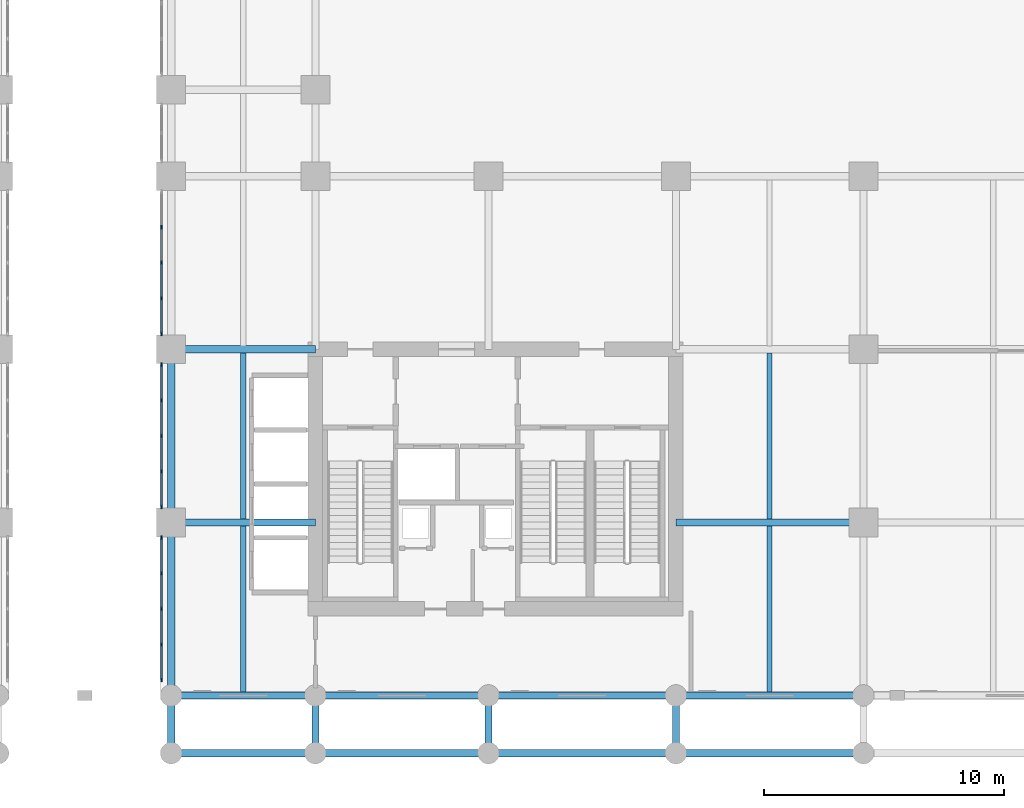
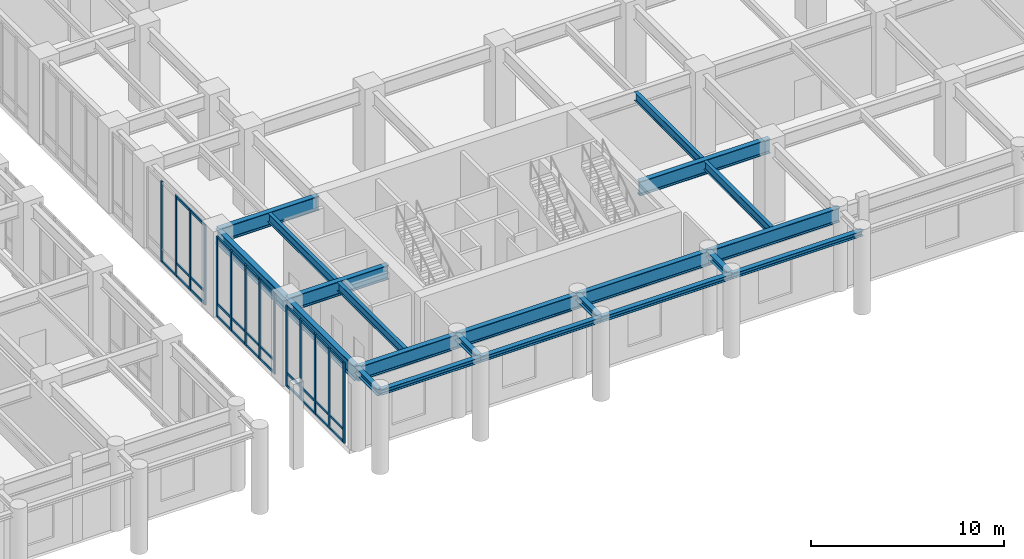
# One storey, part 4 of 23: 45 members, 21 beams, 3 elements without a shape of their own.
"""IFC4 building model written with IfcOpenShell, lengths in metres."""

from ifc_helpers import new_model, si_unit, derived_unit, direction, frame, origin, origin_2d, place, context, subcontext, project, spatial, rectangle, i_section, extrude, source, transform, mapped, material, layer, layer_set, material_profile, profile_set, type_object, type_shapes, element, aggregate, save


model = new_model("IFC4")

# Units and contexts
model_context = context("Model", 3, precision=1e-05, world=origin(), true_north=direction((0.0, 1.0)))
body_context = subcontext(model_context, "Body", "Model", "MODEL_VIEW")
ifc_project = project(units=[si_unit("LENGTHUNIT", "METRE"), si_unit("AREAUNIT", "SQUARE_METRE"), si_unit("VOLUMEUNIT", "CUBIC_METRE"), si_unit("PLANEANGLEUNIT", "RADIAN"), si_unit("MASSUNIT", "GRAM", prefix="KILO"), si_unit("THERMODYNAMICTEMPERATUREUNIT", "KELVIN"), si_unit("POWERUNIT", "WATT"), derived_unit("THERMALTRANSMITTANCEUNIT", [(si_unit("POWERUNIT", "WATT"), 1), (si_unit("AREAUNIT", "SQUARE_METRE"), -1), (si_unit("THERMODYNAMICTEMPERATUREUNIT", "KELVIN"), -1)])], contexts=[model_context])

# Site, building, storey
site_placement = place(None, origin())
site = spatial("IfcSite", under=ifc_project, at=site_placement, CompositionType="ELEMENT")
building_placement = place(site_placement, origin())
building = spatial("IfcBuilding", under=site, at=building_placement, Name="Zahravan Archway Hotel and Residences", CompositionType="ELEMENT")
storey_placement = place(building_placement, frame((0.0, 0.0, 5.39990234375)))
storey = spatial("IfcBuildingStorey", under=building, at=storey_placement, Name="L01", CompositionType="ELEMENT", Elevation=5.39990234375)

# Beams
ifc_material_1 = material(Name="Structural Steel S355J2", Category="steel")
ifc_material_profile_1 = material_profile(ifc_material_1, i_section(OverallWidth=0.300048828125, OverallDepth=0.89990234375, WebThickness=0.0185546875, FlangeThickness=0.034912109375, FilletRadius=0.030029296875, at=origin_2d()), Name="HEB 900", Category="steel")
ifc_profile_set_1 = profile_set([ifc_material_profile_1], Name="Structural Steel S355J2")
beam_type_1 = type_object("IfcBeamType", Name="BM-PRI-HEB900", PredefinedType="BEAM", material=ifc_profile_set_1)
shared_shape_1 = source(origin(), body_context, "Body", "SweptSolid", [
    extrude(i_section(OverallWidth=0.300048828125, OverallDepth=0.89990234375, WebThickness=0.0185546875, FlangeThickness=0.034912109375, FilletRadius=0.030029296875, at=origin_2d()), origin(), (0.0, 0.0, 1.0), 7.199951171875),
])
for number, where, z_axis, x_axis, name in (
    (1, (34.800048828125, 0.0, 4.650146484375), (1.0, 0.0, 0.0), (0.0, 1.0, 0.0), "L01 Primary Girder EW-06"),
    (2, (28.800048828125, 0.0, 4.650146484375), (0.0, 1.0, 0.0), (-1.0, 0.0, 0.0), "L01 Primary Girder NS-95"),
    (3, (28.800048828125, 7.199951171875, 4.650146484375), (0.0, 1.0, 0.0), (-1.0, 0.0, 0.0), "L01 Primary Girder NS-96"),
):
    element("IfcBeam", number, at=place(storey_placement, frame(where, z_axis=z_axis, x_axis=x_axis)), inside=storey, type_object=beam_type_1, Name=name, PredefinedType="BEAM", context=body_context, shape_type="MappedRepresentation", body=[
        mapped(shared_shape_1, transform((0.0, 0.0, 0.0), scale=1.0)),
    ])
shared_shape_2 = source(origin(), body_context, "Body", "SweptSolid", [
    extrude(i_section(OverallWidth=0.300048828125, OverallDepth=0.89990234375, WebThickness=0.0185546875, FlangeThickness=0.034912109375, FilletRadius=0.030029296875, at=origin_2d()), origin(), (0.0, 0.0, 1.0), 6.0),
])
for number, where, z_axis, x_axis, name in (
    (4, (28.800048828125, 0.0, 4.650146484375), (1.0, 0.0, 0.0), (0.0, 1.0, 0.0), "L01 Primary Girder EW-05"),
    (5, (28.800048828125, 7.199951171875, 4.650146484375), (1.0, 0.0, 0.0), (0.0, 1.0, 0.0), "L01 Primary Girder EW-15"),
    (6, (28.800048828125, 14.39990234375, 4.650146484375), (1.0, 0.0, 0.0), (0.0, 1.0, 0.0), "L01 Primary Girder EW-23"),
):
    element("IfcBeam", number, at=place(storey_placement, frame(where, z_axis=z_axis, x_axis=x_axis)), inside=storey, type_object=beam_type_1, Name=name, PredefinedType="BEAM", context=body_context, shape_type="MappedRepresentation", body=[
        mapped(shared_shape_2, transform((0.0, 0.0, 0.0), scale=1.0)),
    ])
shared_shape_3 = source(origin(), body_context, "Body", "SweptSolid", [
    extrude(i_section(OverallWidth=0.300048828125, OverallDepth=0.89990234375, WebThickness=0.0185546875, FlangeThickness=0.034912109375, FilletRadius=0.030029296875, at=origin_2d()), origin(), (0.0, 0.0, 1.0), 7.800048828125),
])
for number, where, z_axis, x_axis, name in (
    (7, (42.0, 0.0, 4.650146484375), (1.0, 0.0, 0.0), (0.0, 1.0, 0.0), "L01 Primary Girder EW-07"),
    (8, (49.800048828125, 0.0, 4.650146484375), (1.0, 0.0, 0.0), (0.0, 1.0, 0.0), "L01 Primary Girder EW-08"),
    (9, (49.800048828125, 7.199951171875, 4.650146484375), (1.0, 0.0, 0.0), (0.0, 1.0, 0.0), "L01 Primary Girder EW-16"),
):
    element("IfcBeam", number, at=place(storey_placement, frame(where, z_axis=z_axis, x_axis=x_axis)), inside=storey, type_object=beam_type_1, Name=name, PredefinedType="BEAM", context=body_context, shape_type="MappedRepresentation", body=[
        mapped(shared_shape_3, transform((0.0, 0.0, 0.0), scale=1.0)),
    ])
ifc_material_2 = material(Name="Structural Steel S355JR", Category="steel")
ifc_material_profile_2 = material_profile(ifc_material_2, i_section(OverallWidth=0.2099609375, OverallDepth=0.550048828125, WebThickness=0.010986328125, FlangeThickness=0.01708984375, FilletRadius=0.02392578125, at=origin_2d()), Name="IPE 550", Category="steel")
ifc_profile_set_2 = profile_set([ifc_material_profile_2], Name="Structural Steel S355JR")
beam_type_2 = type_object("IfcBeamType", Name="BM-JST-IPE550", PredefinedType="JOIST", material=ifc_profile_set_2)
shared_shape_4 = source(origin(), body_context, "Body", "SweptSolid", [
    extrude(i_section(OverallWidth=0.2099609375, OverallDepth=0.550048828125, WebThickness=0.010986328125, FlangeThickness=0.01708984375, FilletRadius=0.02392578125, at=origin_2d()), origin(), (0.0, 0.0, 1.0), 6.904052734375),
])
type_shapes(beam_type_2, [shared_shape_4])
for number, where, z_axis, x_axis, name in (
    (10, (31.800048828125, 0.14794921875, 4.8251953125), (0.0, 1.0, 0.0), (-1.0, 0.0, 0.0), "L01 Composite Floor Joist 05"),
    (11, (53.699951171875, 0.14794921875, 4.8251953125), (0.0, 1.0, 0.0), (-1.0, 0.0, 0.0), "L01 Composite Floor Joist 06"),
    (12, (31.800048828125, 7.347900390625, 4.8251953125), (0.0, 1.0, 0.0), (-1.0, 0.0, 0.0), "L01 Composite Floor Joist 13"),
    (13, (53.699951171875, 7.347900390625, 4.8251953125), (0.0, 1.0, 0.0), (-1.0, 0.0, 0.0), "L01 Composite Floor Joist 14"),
):
    element("IfcBeam", number, at=place(storey_placement, frame(where, z_axis=z_axis, x_axis=x_axis)), inside=storey, type_object=beam_type_2, Name=name, PredefinedType="JOIST", context=body_context, shape_type="MappedRepresentation", body=[
        mapped(shared_shape_4, transform((0.0, 0.0, 0.0), scale=1.0)),
    ])
ifc_material_profile_3 = material_profile(ifc_material_2, i_section(OverallWidth=0.300048828125, OverallDepth=0.39990234375, WebThickness=0.013427734375, FlangeThickness=0.02392578125, FilletRadius=0.027099609375, at=origin_2d()), Name="HEB 400", Category="steel")
ifc_profile_set_3 = profile_set([ifc_material_profile_3], Name="Structural Steel S355JR")
beam_type_3 = type_object("IfcBeamType", Name="BM-PRI-HEB400", PredefinedType="BEAM", material=ifc_profile_set_3)
shared_shape_5 = source(origin(), body_context, "Body", "SweptSolid", [
    extrude(i_section(OverallWidth=0.300048828125, OverallDepth=0.39990234375, WebThickness=0.013427734375, FlangeThickness=0.02392578125, FilletRadius=0.027099609375, at=origin_2d()), origin(), (0.0, 0.0, 1.0), 2.39990234375),
])
for number, where, z_axis, x_axis, name in (
    (14, (28.800048828125, -2.39990234375, 4.900146484375), (0.0, 1.0, 0.0), (-1.0, 0.0, 0.0), "L01 South Colonnade Tie Girder 5"),
    (15, (34.800048828125, -2.39990234375, 4.900146484375), (0.0, 1.0, 0.0), (-1.0, 0.0, 0.0), "L01 South Colonnade Tie Girder 6"),
    (16, (42.0, -2.39990234375, 4.900146484375), (0.0, 1.0, 0.0), (-1.0, 0.0, 0.0), "L01 South Colonnade Tie Girder 7"),
    (17, (49.800048828125, -2.39990234375, 4.900146484375), (0.0, 1.0, 0.0), (-1.0, 0.0, 0.0), "L01 South Colonnade Tie Girder 8"),
):
    element("IfcBeam", number, at=place(storey_placement, frame(where, z_axis=z_axis, x_axis=x_axis)), inside=storey, type_object=beam_type_3, Name=name, PredefinedType="BEAM", context=body_context, shape_type="MappedRepresentation", body=[
        mapped(shared_shape_5, transform((0.0, 0.0, 0.0), scale=1.0)),
    ])
ifc_material_profile_4 = material_profile(ifc_material_2, i_section(OverallWidth=0.300048828125, OverallDepth=0.320068359375, WebThickness=0.011474609375, FlangeThickness=0.0205078125, FilletRadius=0.027099609375, at=origin_2d()), Name="HEB 320", Category="steel")
ifc_profile_set_4 = profile_set([ifc_material_profile_4], Name="Structural Steel S355JR")
beam_type_4 = type_object("IfcBeamType", Name="BM-SPN-HEB320", PredefinedType="SPANDREL", material=ifc_profile_set_4)
shared_shape_6 = source(origin(), body_context, "Body", "SweptSolid", [
    extrude(i_section(OverallWidth=0.300048828125, OverallDepth=0.320068359375, WebThickness=0.011474609375, FlangeThickness=0.0205078125, FilletRadius=0.027099609375, at=origin_2d()), origin(), (0.0, 0.0, 1.0), 7.199951171875),
])
type_shapes(beam_type_4, [shared_shape_6])
beam_1_placement = place(storey_placement, frame((34.800048828125, -2.39990234375, 4.940185546875), z_axis=(1.0, 0.0, 0.0), x_axis=(0.0, 1.0, 0.0)))
element("IfcBeam", 18, at=beam_1_placement, inside=storey, type_object=beam_type_4, Name="L01 South Colonnade Spandrel 6", PredefinedType="SPANDREL", context=body_context, shape_type="MappedRepresentation", body=[
    mapped(shared_shape_6, transform((0.0, 0.0, 0.0), scale=1.0)),
])
shared_shape_7 = source(origin(), body_context, "Body", "SweptSolid", [
    extrude(i_section(OverallWidth=0.300048828125, OverallDepth=0.320068359375, WebThickness=0.011474609375, FlangeThickness=0.0205078125, FilletRadius=0.027099609375, at=origin_2d()), origin(), (0.0, 0.0, 1.0), 6.0),
])
beam_2_placement = place(storey_placement, frame((28.800048828125, -2.39990234375, 4.940185546875), z_axis=(1.0, 0.0, 0.0), x_axis=(0.0, 1.0, 0.0)))
element("IfcBeam", 19, at=beam_2_placement, inside=storey, type_object=beam_type_4, Name="L01 South Colonnade Spandrel 5", PredefinedType="SPANDREL", context=body_context, shape_type="MappedRepresentation", body=[
    mapped(shared_shape_7, transform((0.0, 0.0, 0.0), scale=1.0)),
])
shared_shape_8 = source(origin(), body_context, "Body", "SweptSolid", [
    extrude(i_section(OverallWidth=0.300048828125, OverallDepth=0.320068359375, WebThickness=0.011474609375, FlangeThickness=0.0205078125, FilletRadius=0.027099609375, at=origin_2d()), origin(), (0.0, 0.0, 1.0), 7.800048828125),
])
for number, where, z_axis, x_axis, name in (
    (20, (42.0, -2.39990234375, 4.940185546875), (1.0, 0.0, 0.0), (0.0, 1.0, 0.0), "L01 South Colonnade Spandrel 7"),
    (21, (49.800048828125, -2.39990234375, 4.940185546875), (1.0, 0.0, 0.0), (0.0, 1.0, 0.0), "L01 South Colonnade Spandrel 8"),
):
    element("IfcBeam", number, at=place(storey_placement, frame(where, z_axis=z_axis, x_axis=x_axis)), inside=storey, type_object=beam_type_4, Name=name, PredefinedType="SPANDREL", context=body_context, shape_type="MappedRepresentation", body=[
        mapped(shared_shape_8, transform((0.0, 0.0, 0.0), scale=1.0)),
    ])

# Curtain wall, members
ifc_material_3 = material(Name="Bronze-Anodized Unitised Aluminium & Low-E Glass", Category="aluminium")
ifc_layer = layer(ifc_material_3, 0.179931640625, Name="Bronze-Anodized Unitised Aluminium & Low-E Glass", Category="aluminium")
ifc_layer_set = layer_set([ifc_layer], Name="Bronze-Anodized Unitised Aluminium & Low-E Glass")
curtain_wall_type = type_object("IfcCurtainWallType", Name="CW-POD-ARCH", PredefinedType="NOTDEFINED", material=ifc_layer_set)
curtain_wall_1_placement = place(storey_placement, origin())
curtain_wall_1 = element("IfcCurtainWall", 22, at=curtain_wall_1_placement, inside=storey, type_object=curtain_wall_type, Name="L01 Curtain Wall CW-PORTE-L01-1", PredefinedType="NOTDEFINED")
ifc_material_4 = material(Name="Bronze-Anodized Extruded Aluminium", Category="aluminium")
ifc_material_profile_5 = material_profile(ifc_material_4, rectangle(XDim=0.080078125, YDim=0.159912109375, at=origin_2d()), Name="MUL 80x160", Category="aluminium")
ifc_profile_set_5 = profile_set([ifc_material_profile_5], Name="Bronze-Anodized Extruded Aluminium")
member_type_1 = type_object("IfcMemberType", Name="CWM-MUL-160", PredefinedType="MULLION", material=ifc_profile_set_5)
shared_shape_9 = source(origin(), body_context, "Body", "SweptSolid", [
    extrude(rectangle(XDim=0.080078125, YDim=0.159912109375, at=origin_2d()), origin(), (0.0, 0.0, 1.0), 5.10009765625),
])
member_1_placement = place(storey_placement, frame((28.39990234375, 0.645263671875, 0.0), z_axis=(0.0, 0.0, 1.0), x_axis=(1.0, 0.0, 0.0)))
member_1 = element("IfcMember", 23, at=member_1_placement, type_object=member_type_1, Name="CW-PORTE-L01-1 Mullion 0", PredefinedType="MULLION", context=body_context, shape_type="MappedRepresentation", body=[
    mapped(shared_shape_9, transform((0.0, 0.0, 0.0), scale=1.0)),
])
member_2_placement = place(storey_placement, frame((28.39990234375, 2.12255859375, 0.0), z_axis=(0.0, 0.0, 1.0), x_axis=(1.0, 0.0, 0.0)))
member_2 = element("IfcMember", 24, at=member_2_placement, type_object=member_type_1, Name="CW-PORTE-L01-1 Mullion 1", PredefinedType="MULLION", context=body_context, shape_type="MappedRepresentation", body=[
    mapped(shared_shape_9, transform((0.0, 0.0, 0.0), scale=1.0)),
])
member_3_placement = place(storey_placement, frame((28.39990234375, 3.60009765625, 0.0), z_axis=(0.0, 0.0, 1.0), x_axis=(1.0, 0.0, 0.0)))
member_3 = element("IfcMember", 25, at=member_3_placement, type_object=member_type_1, Name="CW-PORTE-L01-1 Mullion 2", PredefinedType="MULLION", context=body_context, shape_type="MappedRepresentation", body=[
    mapped(shared_shape_9, transform((0.0, 0.0, 0.0), scale=1.0)),
])
member_4_placement = place(storey_placement, frame((28.39990234375, 5.077392578125, 0.0), z_axis=(0.0, 0.0, 1.0), x_axis=(1.0, 0.0, 0.0)))
member_4 = element("IfcMember", 26, at=member_4_placement, type_object=member_type_1, Name="CW-PORTE-L01-1 Mullion 3", PredefinedType="MULLION", context=body_context, shape_type="MappedRepresentation", body=[
    mapped(shared_shape_9, transform((0.0, 0.0, 0.0), scale=1.0)),
])
member_5_placement = place(storey_placement, frame((28.39990234375, 6.5546875, 0.0), z_axis=(0.0, 0.0, 1.0), x_axis=(1.0, 0.0, 0.0)))
member_5 = element("IfcMember", 27, at=member_5_placement, type_object=member_type_1, Name="CW-PORTE-L01-1 Mullion 4", PredefinedType="MULLION", context=body_context, shape_type="MappedRepresentation", body=[
    mapped(shared_shape_9, transform((0.0, 0.0, 0.0), scale=1.0)),
])

curtain_wall_2_placement = place(storey_placement, origin())
curtain_wall_2 = element("IfcCurtainWall", 28, at=curtain_wall_2_placement, inside=storey, type_object=curtain_wall_type, Name="L01 Curtain Wall CW-PORTE-L01-2", PredefinedType="NOTDEFINED")
member_6_placement = place(storey_placement, frame((28.39990234375, 7.84521484375, 0.0), z_axis=(0.0, 0.0, 1.0), x_axis=(1.0, 0.0, 0.0)))
member_6 = element("IfcMember", 29, at=member_6_placement, type_object=member_type_1, Name="CW-PORTE-L01-2 Mullion 0", PredefinedType="MULLION", context=body_context, shape_type="MappedRepresentation", body=[
    mapped(shared_shape_9, transform((0.0, 0.0, 0.0), scale=1.0)),
])
member_7_placement = place(storey_placement, frame((28.39990234375, 9.322509765625, 0.0), z_axis=(0.0, 0.0, 1.0), x_axis=(1.0, 0.0, 0.0)))
member_7 = element("IfcMember", 30, at=member_7_placement, type_object=member_type_1, Name="CW-PORTE-L01-2 Mullion 1", PredefinedType="MULLION", context=body_context, shape_type="MappedRepresentation", body=[
    mapped(shared_shape_9, transform((0.0, 0.0, 0.0), scale=1.0)),
])
member_8_placement = place(storey_placement, frame((28.39990234375, 10.800048828125, 0.0), z_axis=(0.0, 0.0, 1.0), x_axis=(1.0, 0.0, 0.0)))
member_8 = element("IfcMember", 31, at=member_8_placement, type_object=member_type_1, Name="CW-PORTE-L01-2 Mullion 2", PredefinedType="MULLION", context=body_context, shape_type="MappedRepresentation", body=[
    mapped(shared_shape_9, transform((0.0, 0.0, 0.0), scale=1.0)),
])
member_9_placement = place(storey_placement, frame((28.39990234375, 12.27734375, 0.0), z_axis=(0.0, 0.0, 1.0), x_axis=(1.0, 0.0, 0.0)))
member_9 = element("IfcMember", 32, at=member_9_placement, type_object=member_type_1, Name="CW-PORTE-L01-2 Mullion 3", PredefinedType="MULLION", context=body_context, shape_type="MappedRepresentation", body=[
    mapped(shared_shape_9, transform((0.0, 0.0, 0.0), scale=1.0)),
])
member_10_placement = place(storey_placement, frame((28.39990234375, 13.7548828125, 0.0), z_axis=(0.0, 0.0, 1.0), x_axis=(1.0, 0.0, 0.0)))
member_10 = element("IfcMember", 33, at=member_10_placement, type_object=member_type_1, Name="CW-PORTE-L01-2 Mullion 4", PredefinedType="MULLION", context=body_context, shape_type="MappedRepresentation", body=[
    mapped(shared_shape_9, transform((0.0, 0.0, 0.0), scale=1.0)),
])

curtain_wall_3_placement = place(storey_placement, origin())
curtain_wall_3 = element("IfcCurtainWall", 34, at=curtain_wall_3_placement, inside=storey, type_object=curtain_wall_type, Name="L01 Curtain Wall CW-PORTE-L01-3", PredefinedType="NOTDEFINED")
member_11_placement = place(storey_placement, frame((28.39990234375, 15.045166015625, 0.0), z_axis=(0.0, 0.0, 1.0), x_axis=(1.0, 0.0, 0.0)))
member_11 = element("IfcMember", 35, at=member_11_placement, type_object=member_type_1, Name="CW-PORTE-L01-3 Mullion 0", PredefinedType="MULLION", context=body_context, shape_type="MappedRepresentation", body=[
    mapped(shared_shape_9, transform((0.0, 0.0, 0.0), scale=1.0)),
])
member_12_placement = place(storey_placement, frame((28.39990234375, 16.522705078125, 0.0), z_axis=(0.0, 0.0, 1.0), x_axis=(1.0, 0.0, 0.0)))
member_12 = element("IfcMember", 36, at=member_12_placement, type_object=member_type_1, Name="CW-PORTE-L01-3 Mullion 1", PredefinedType="MULLION", context=body_context, shape_type="MappedRepresentation", body=[
    mapped(shared_shape_9, transform((0.0, 0.0, 0.0), scale=1.0)),
])
member_13_placement = place(storey_placement, frame((28.39990234375, 18.0, 0.0), z_axis=(0.0, 0.0, 1.0), x_axis=(1.0, 0.0, 0.0)))
member_13 = element("IfcMember", 37, at=member_13_placement, type_object=member_type_1, Name="CW-PORTE-L01-3 Mullion 2", PredefinedType="MULLION", context=body_context, shape_type="MappedRepresentation", body=[
    mapped(shared_shape_9, transform((0.0, 0.0, 0.0), scale=1.0)),
])
member_14_placement = place(storey_placement, frame((28.39990234375, 19.477294921875, 0.0), z_axis=(0.0, 0.0, 1.0), x_axis=(1.0, 0.0, 0.0)))
member_14 = element("IfcMember", 38, at=member_14_placement, type_object=member_type_1, Name="CW-PORTE-L01-3 Mullion 3", PredefinedType="MULLION", context=body_context, shape_type="MappedRepresentation", body=[
    mapped(shared_shape_9, transform((0.0, 0.0, 0.0), scale=1.0)),
])

# Member
ifc_material_profile_6 = material_profile(ifc_material_4, rectangle(XDim=0.080078125, YDim=0.139892578125, at=origin_2d()), Name="TRN 80x140", Category="aluminium")
ifc_profile_set_6 = profile_set([ifc_material_profile_6], Name="Bronze-Anodized Extruded Aluminium")
member_type_2 = type_object("IfcMemberType", Name="CWM-TRN-140", PredefinedType="USERDEFINED", material=ifc_profile_set_6)
shared_shape_10 = source(origin(), body_context, "Body", "SweptSolid", [
    extrude(rectangle(XDim=0.080078125, YDim=0.139892578125, at=origin_2d()), origin(), (0.0, 0.0, 1.0), 1.397216796875),
])
member_15_placement = place(storey_placement, frame((28.39990234375, 0.685302734375, 0.070068359375), z_axis=(0.0, 1.0, 0.0), x_axis=(-1.0, 0.0, 0.0)))
member_15 = element("IfcMember", 39, at=member_15_placement, type_object=member_type_2, Name="CW-PORTE-L01-1 Transom 0-1", ObjectType="TRANSOM", PredefinedType="USERDEFINED", context=body_context, shape_type="MappedRepresentation", body=[
    mapped(shared_shape_10, transform((0.0, 0.0, 0.0), scale=1.0)),
])

member_16_placement = place(storey_placement, frame((28.39990234375, 0.685302734375, 0.85009765625), z_axis=(0.0, 1.0, 0.0), x_axis=(-1.0, 0.0, 0.0)))
member_16 = element("IfcMember", 40, at=member_16_placement, type_object=member_type_2, Name="CW-PORTE-L01-1 Transom 0-2", ObjectType="TRANSOM", PredefinedType="USERDEFINED", context=body_context, shape_type="MappedRepresentation", body=[
    mapped(shared_shape_10, transform((0.0, 0.0, 0.0), scale=1.0)),
])

member_17_placement = place(storey_placement, frame((28.39990234375, 0.685302734375, 5.030029296875), z_axis=(0.0, 1.0, 0.0), x_axis=(-1.0, 0.0, 0.0)))
member_17 = element("IfcMember", 41, at=member_17_placement, type_object=member_type_2, Name="CW-PORTE-L01-1 Transom 0-3", ObjectType="TRANSOM", PredefinedType="USERDEFINED", context=body_context, shape_type="MappedRepresentation", body=[
    mapped(shared_shape_10, transform((0.0, 0.0, 0.0), scale=1.0)),
])

member_18_placement = place(storey_placement, frame((28.39990234375, 10.840087890625, 0.070068359375), z_axis=(0.0, 1.0, 0.0), x_axis=(-1.0, 0.0, 0.0)))
member_18 = element("IfcMember", 42, at=member_18_placement, type_object=member_type_2, Name="CW-PORTE-L01-2 Transom 2-1", ObjectType="TRANSOM", PredefinedType="USERDEFINED", context=body_context, shape_type="MappedRepresentation", body=[
    mapped(shared_shape_10, transform((0.0, 0.0, 0.0), scale=1.0)),
])

member_19_placement = place(storey_placement, frame((28.39990234375, 10.840087890625, 0.85009765625), z_axis=(0.0, 1.0, 0.0), x_axis=(-1.0, 0.0, 0.0)))
member_19 = element("IfcMember", 43, at=member_19_placement, type_object=member_type_2, Name="CW-PORTE-L01-2 Transom 2-2", ObjectType="TRANSOM", PredefinedType="USERDEFINED", context=body_context, shape_type="MappedRepresentation", body=[
    mapped(shared_shape_10, transform((0.0, 0.0, 0.0), scale=1.0)),
])

member_20_placement = place(storey_placement, frame((28.39990234375, 10.840087890625, 5.030029296875), z_axis=(0.0, 1.0, 0.0), x_axis=(-1.0, 0.0, 0.0)))
member_20 = element("IfcMember", 44, at=member_20_placement, type_object=member_type_2, Name="CW-PORTE-L01-2 Transom 2-3", ObjectType="TRANSOM", PredefinedType="USERDEFINED", context=body_context, shape_type="MappedRepresentation", body=[
    mapped(shared_shape_10, transform((0.0, 0.0, 0.0), scale=1.0)),
])

shared_shape_11 = source(origin(), body_context, "Body", "SweptSolid", [
    extrude(rectangle(XDim=0.080078125, YDim=0.139892578125, at=origin_2d()), origin(), (0.0, 0.0, 1.0), 1.3974609375),
])
member_21_placement = place(storey_placement, frame((28.39990234375, 2.16259765625, 0.070068359375), z_axis=(0.0, 1.0, 0.0), x_axis=(-1.0, 0.0, 0.0)))
member_21 = element("IfcMember", 45, at=member_21_placement, type_object=member_type_2, Name="CW-PORTE-L01-1 Transom 1-1", ObjectType="TRANSOM", PredefinedType="USERDEFINED", context=body_context, shape_type="MappedRepresentation", body=[
    mapped(shared_shape_11, transform((0.0, 0.0, 0.0), scale=1.0)),
])

member_22_placement = place(storey_placement, frame((28.39990234375, 2.16259765625, 0.85009765625), z_axis=(0.0, 1.0, 0.0), x_axis=(-1.0, 0.0, 0.0)))
member_22 = element("IfcMember", 46, at=member_22_placement, type_object=member_type_2, Name="CW-PORTE-L01-1 Transom 1-2", ObjectType="TRANSOM", PredefinedType="USERDEFINED", context=body_context, shape_type="MappedRepresentation", body=[
    mapped(shared_shape_11, transform((0.0, 0.0, 0.0), scale=1.0)),
])

member_23_placement = place(storey_placement, frame((28.39990234375, 2.16259765625, 5.030029296875), z_axis=(0.0, 1.0, 0.0), x_axis=(-1.0, 0.0, 0.0)))
member_23 = element("IfcMember", 47, at=member_23_placement, type_object=member_type_2, Name="CW-PORTE-L01-1 Transom 1-3", ObjectType="TRANSOM", PredefinedType="USERDEFINED", context=body_context, shape_type="MappedRepresentation", body=[
    mapped(shared_shape_11, transform((0.0, 0.0, 0.0), scale=1.0)),
])

member_24_placement = place(storey_placement, frame((28.39990234375, 3.639892578125, 0.070068359375), z_axis=(0.0, 1.0, 0.0), x_axis=(-1.0, 0.0, 0.0)))
member_24 = element("IfcMember", 48, at=member_24_placement, type_object=member_type_2, Name="CW-PORTE-L01-1 Transom 2-1", ObjectType="TRANSOM", PredefinedType="USERDEFINED", context=body_context, shape_type="MappedRepresentation", body=[
    mapped(shared_shape_11, transform((0.0, 0.0, 0.0), scale=1.0)),
])

member_25_placement = place(storey_placement, frame((28.39990234375, 3.639892578125, 0.85009765625), z_axis=(0.0, 1.0, 0.0), x_axis=(-1.0, 0.0, 0.0)))
member_25 = element("IfcMember", 49, at=member_25_placement, type_object=member_type_2, Name="CW-PORTE-L01-1 Transom 2-2", ObjectType="TRANSOM", PredefinedType="USERDEFINED", context=body_context, shape_type="MappedRepresentation", body=[
    mapped(shared_shape_11, transform((0.0, 0.0, 0.0), scale=1.0)),
])

member_26_placement = place(storey_placement, frame((28.39990234375, 3.639892578125, 5.030029296875), z_axis=(0.0, 1.0, 0.0), x_axis=(-1.0, 0.0, 0.0)))
member_26 = element("IfcMember", 50, at=member_26_placement, type_object=member_type_2, Name="CW-PORTE-L01-1 Transom 2-3", ObjectType="TRANSOM", PredefinedType="USERDEFINED", context=body_context, shape_type="MappedRepresentation", body=[
    mapped(shared_shape_11, transform((0.0, 0.0, 0.0), scale=1.0)),
])

member_27_placement = place(storey_placement, frame((28.39990234375, 5.117431640625, 0.070068359375), z_axis=(0.0, 1.0, 0.0), x_axis=(-1.0, 0.0, 0.0)))
member_27 = element("IfcMember", 51, at=member_27_placement, type_object=member_type_2, Name="CW-PORTE-L01-1 Transom 3-1", ObjectType="TRANSOM", PredefinedType="USERDEFINED", context=body_context, shape_type="MappedRepresentation", body=[
    mapped(shared_shape_11, transform((0.0, 0.0, 0.0), scale=1.0)),
])

member_28_placement = place(storey_placement, frame((28.39990234375, 5.117431640625, 0.85009765625), z_axis=(0.0, 1.0, 0.0), x_axis=(-1.0, 0.0, 0.0)))
member_28 = element("IfcMember", 52, at=member_28_placement, type_object=member_type_2, Name="CW-PORTE-L01-1 Transom 3-2", ObjectType="TRANSOM", PredefinedType="USERDEFINED", context=body_context, shape_type="MappedRepresentation", body=[
    mapped(shared_shape_11, transform((0.0, 0.0, 0.0), scale=1.0)),
])

member_29_placement = place(storey_placement, frame((28.39990234375, 5.117431640625, 5.030029296875), z_axis=(0.0, 1.0, 0.0), x_axis=(-1.0, 0.0, 0.0)))
member_29 = element("IfcMember", 53, at=member_29_placement, type_object=member_type_2, Name="CW-PORTE-L01-1 Transom 3-3", ObjectType="TRANSOM", PredefinedType="USERDEFINED", context=body_context, shape_type="MappedRepresentation", body=[
    mapped(shared_shape_11, transform((0.0, 0.0, 0.0), scale=1.0)),
])

aggregate(curtain_wall_1, [member_1, member_2, member_3, member_4, member_5, member_15, member_16, member_17, member_21, member_22, member_23, member_24, member_25, member_26, member_27, member_28, member_29])

member_30_placement = place(storey_placement, frame((28.39990234375, 7.88525390625, 0.070068359375), z_axis=(0.0, 1.0, 0.0), x_axis=(-1.0, 0.0, 0.0)))
member_30 = element("IfcMember", 54, at=member_30_placement, type_object=member_type_2, Name="CW-PORTE-L01-2 Transom 0-1", ObjectType="TRANSOM", PredefinedType="USERDEFINED", context=body_context, shape_type="MappedRepresentation", body=[
    mapped(shared_shape_11, transform((0.0, 0.0, 0.0), scale=1.0)),
])

member_31_placement = place(storey_placement, frame((28.39990234375, 7.88525390625, 0.85009765625), z_axis=(0.0, 1.0, 0.0), x_axis=(-1.0, 0.0, 0.0)))
member_31 = element("IfcMember", 55, at=member_31_placement, type_object=member_type_2, Name="CW-PORTE-L01-2 Transom 0-2", ObjectType="TRANSOM", PredefinedType="USERDEFINED", context=body_context, shape_type="MappedRepresentation", body=[
    mapped(shared_shape_11, transform((0.0, 0.0, 0.0), scale=1.0)),
])

member_32_placement = place(storey_placement, frame((28.39990234375, 7.88525390625, 5.030029296875), z_axis=(0.0, 1.0, 0.0), x_axis=(-1.0, 0.0, 0.0)))
member_32 = element("IfcMember", 56, at=member_32_placement, type_object=member_type_2, Name="CW-PORTE-L01-2 Transom 0-3", ObjectType="TRANSOM", PredefinedType="USERDEFINED", context=body_context, shape_type="MappedRepresentation", body=[
    mapped(shared_shape_11, transform((0.0, 0.0, 0.0), scale=1.0)),
])

member_33_placement = place(storey_placement, frame((28.39990234375, 9.362548828125, 0.070068359375), z_axis=(0.0, 1.0, 0.0), x_axis=(-1.0, 0.0, 0.0)))
member_33 = element("IfcMember", 57, at=member_33_placement, type_object=member_type_2, Name="CW-PORTE-L01-2 Transom 1-1", ObjectType="TRANSOM", PredefinedType="USERDEFINED", context=body_context, shape_type="MappedRepresentation", body=[
    mapped(shared_shape_11, transform((0.0, 0.0, 0.0), scale=1.0)),
])

member_34_placement = place(storey_placement, frame((28.39990234375, 9.362548828125, 0.85009765625), z_axis=(0.0, 1.0, 0.0), x_axis=(-1.0, 0.0, 0.0)))
member_34 = element("IfcMember", 58, at=member_34_placement, type_object=member_type_2, Name="CW-PORTE-L01-2 Transom 1-2", ObjectType="TRANSOM", PredefinedType="USERDEFINED", context=body_context, shape_type="MappedRepresentation", body=[
    mapped(shared_shape_11, transform((0.0, 0.0, 0.0), scale=1.0)),
])

member_35_placement = place(storey_placement, frame((28.39990234375, 9.362548828125, 5.030029296875), z_axis=(0.0, 1.0, 0.0), x_axis=(-1.0, 0.0, 0.0)))
member_35 = element("IfcMember", 59, at=member_35_placement, type_object=member_type_2, Name="CW-PORTE-L01-2 Transom 1-3", ObjectType="TRANSOM", PredefinedType="USERDEFINED", context=body_context, shape_type="MappedRepresentation", body=[
    mapped(shared_shape_11, transform((0.0, 0.0, 0.0), scale=1.0)),
])

member_36_placement = place(storey_placement, frame((28.39990234375, 12.3173828125, 0.070068359375), z_axis=(0.0, 1.0, 0.0), x_axis=(-1.0, 0.0, 0.0)))
member_36 = element("IfcMember", 60, at=member_36_placement, type_object=member_type_2, Name="CW-PORTE-L01-2 Transom 3-1", ObjectType="TRANSOM", PredefinedType="USERDEFINED", context=body_context, shape_type="MappedRepresentation", body=[
    mapped(shared_shape_11, transform((0.0, 0.0, 0.0), scale=1.0)),
])

member_37_placement = place(storey_placement, frame((28.39990234375, 12.3173828125, 0.85009765625), z_axis=(0.0, 1.0, 0.0), x_axis=(-1.0, 0.0, 0.0)))
member_37 = element("IfcMember", 61, at=member_37_placement, type_object=member_type_2, Name="CW-PORTE-L01-2 Transom 3-2", ObjectType="TRANSOM", PredefinedType="USERDEFINED", context=body_context, shape_type="MappedRepresentation", body=[
    mapped(shared_shape_11, transform((0.0, 0.0, 0.0), scale=1.0)),
])

member_38_placement = place(storey_placement, frame((28.39990234375, 12.3173828125, 5.030029296875), z_axis=(0.0, 1.0, 0.0), x_axis=(-1.0, 0.0, 0.0)))
member_38 = element("IfcMember", 62, at=member_38_placement, type_object=member_type_2, Name="CW-PORTE-L01-2 Transom 3-3", ObjectType="TRANSOM", PredefinedType="USERDEFINED", context=body_context, shape_type="MappedRepresentation", body=[
    mapped(shared_shape_11, transform((0.0, 0.0, 0.0), scale=1.0)),
])

aggregate(curtain_wall_2, [member_6, member_7, member_8, member_9, member_10, member_30, member_31, member_32, member_33, member_34, member_35, member_18, member_19, member_20, member_36, member_37, member_38])

member_39_placement = place(storey_placement, frame((28.39990234375, 15.085205078125, 0.070068359375), z_axis=(0.0, 1.0, 0.0), x_axis=(-1.0, 0.0, 0.0)))
member_39 = element("IfcMember", 63, at=member_39_placement, type_object=member_type_2, Name="CW-PORTE-L01-3 Transom 0-1", ObjectType="TRANSOM", PredefinedType="USERDEFINED", context=body_context, shape_type="MappedRepresentation", body=[
    mapped(shared_shape_11, transform((0.0, 0.0, 0.0), scale=1.0)),
])

member_40_placement = place(storey_placement, frame((28.39990234375, 15.085205078125, 0.85009765625), z_axis=(0.0, 1.0, 0.0), x_axis=(-1.0, 0.0, 0.0)))
member_40 = element("IfcMember", 64, at=member_40_placement, type_object=member_type_2, Name="CW-PORTE-L01-3 Transom 0-2", ObjectType="TRANSOM", PredefinedType="USERDEFINED", context=body_context, shape_type="MappedRepresentation", body=[
    mapped(shared_shape_11, transform((0.0, 0.0, 0.0), scale=1.0)),
])

member_41_placement = place(storey_placement, frame((28.39990234375, 15.085205078125, 5.030029296875), z_axis=(0.0, 1.0, 0.0), x_axis=(-1.0, 0.0, 0.0)))
member_41 = element("IfcMember", 65, at=member_41_placement, type_object=member_type_2, Name="CW-PORTE-L01-3 Transom 0-3", ObjectType="TRANSOM", PredefinedType="USERDEFINED", context=body_context, shape_type="MappedRepresentation", body=[
    mapped(shared_shape_11, transform((0.0, 0.0, 0.0), scale=1.0)),
])

member_42_placement = place(storey_placement, frame((28.39990234375, 16.5625, 0.070068359375), z_axis=(0.0, 1.0, 0.0), x_axis=(-1.0, 0.0, 0.0)))
member_42 = element("IfcMember", 66, at=member_42_placement, type_object=member_type_2, Name="CW-PORTE-L01-3 Transom 1-1", ObjectType="TRANSOM", PredefinedType="USERDEFINED", context=body_context, shape_type="MappedRepresentation", body=[
    mapped(shared_shape_11, transform((0.0, 0.0, 0.0), scale=1.0)),
])

member_43_placement = place(storey_placement, frame((28.39990234375, 16.5625, 0.85009765625), z_axis=(0.0, 1.0, 0.0), x_axis=(-1.0, 0.0, 0.0)))
member_43 = element("IfcMember", 67, at=member_43_placement, type_object=member_type_2, Name="CW-PORTE-L01-3 Transom 1-2", ObjectType="TRANSOM", PredefinedType="USERDEFINED", context=body_context, shape_type="MappedRepresentation", body=[
    mapped(shared_shape_11, transform((0.0, 0.0, 0.0), scale=1.0)),
])

member_44_placement = place(storey_placement, frame((28.39990234375, 16.5625, 5.030029296875), z_axis=(0.0, 1.0, 0.0), x_axis=(-1.0, 0.0, 0.0)))
member_44 = element("IfcMember", 68, at=member_44_placement, type_object=member_type_2, Name="CW-PORTE-L01-3 Transom 1-3", ObjectType="TRANSOM", PredefinedType="USERDEFINED", context=body_context, shape_type="MappedRepresentation", body=[
    mapped(shared_shape_11, transform((0.0, 0.0, 0.0), scale=1.0)),
])

member_45_placement = place(storey_placement, frame((28.39990234375, 18.0400390625, 0.070068359375), z_axis=(0.0, 1.0, 0.0), x_axis=(-1.0, 0.0, 0.0)))
member_45 = element("IfcMember", 69, at=member_45_placement, type_object=member_type_2, Name="CW-PORTE-L01-3 Transom 2-1", ObjectType="TRANSOM", PredefinedType="USERDEFINED", context=body_context, shape_type="MappedRepresentation", body=[
    mapped(shared_shape_11, transform((0.0, 0.0, 0.0), scale=1.0)),
])

aggregate(curtain_wall_3, [member_11, member_12, member_13, member_14, member_39, member_40, member_41, member_42, member_43, member_44, member_45])

save(model, "model.ifc")
